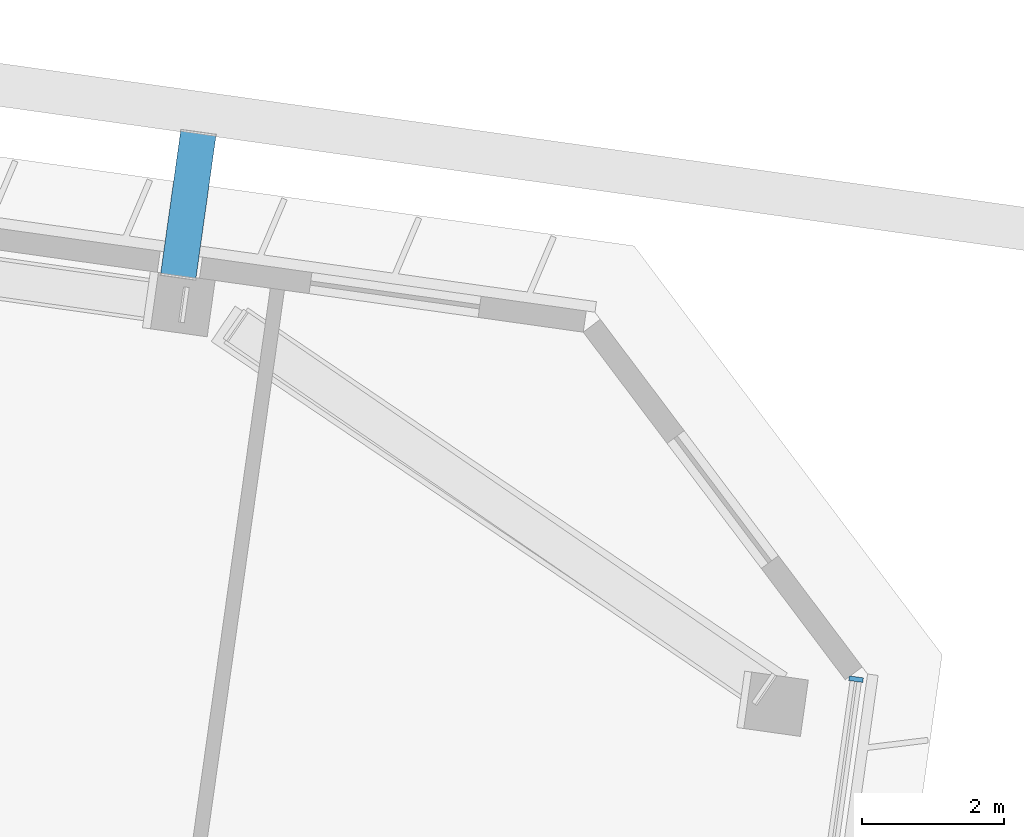
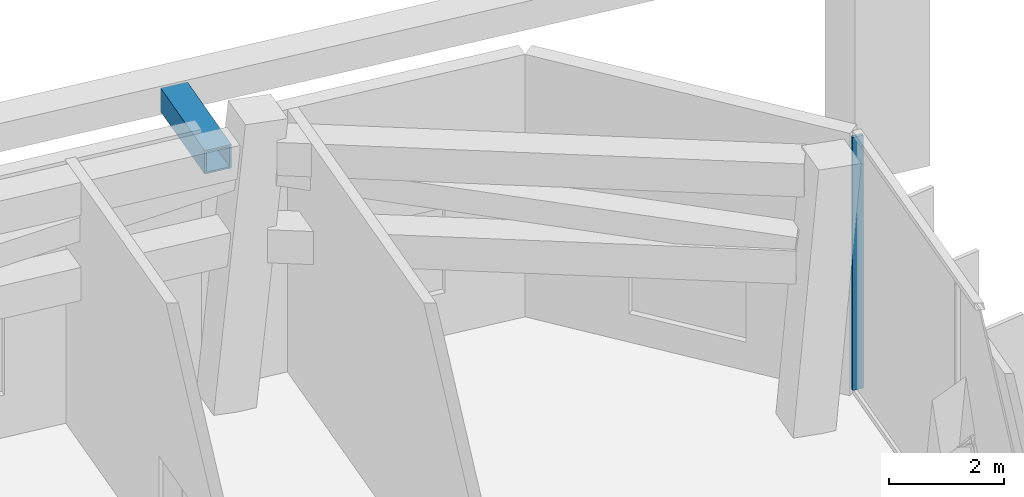
# One storey, part 8 of 29: 2 members, 1 element without a shape of its own.
"""IFC4 building model written with IfcOpenShell, lengths in metres."""

from ifc_helpers import new_model, si_unit, direction, frame, origin, origin_2d, place, context, subcontext, project, spatial, rectangle, hollow_rectangle, extrude, material, material_profile, profile_set, type_object, element, aggregate, save


model = new_model("IFC4")

# Units and contexts
model_context = context("Model", 3, precision=1e-05, world=origin(), true_north=direction((0.0, 1.0)))
body_context = subcontext(model_context, "Body", "Model", "MODEL_VIEW")
ifc_project = project(units=[si_unit("LENGTHUNIT", "METRE"), si_unit("AREAUNIT", "SQUARE_METRE"), si_unit("VOLUMEUNIT", "CUBIC_METRE"), si_unit("PLANEANGLEUNIT", "RADIAN"), si_unit("MASSUNIT", "GRAM", prefix="KILO")], contexts=[model_context])

# Site, building, storey
site_placement = place(None, origin())
site = spatial("IfcSite", under=ifc_project, at=site_placement, CompositionType="ELEMENT")
building_placement = place(site_placement, origin())
building = spatial("IfcBuilding", under=site, at=building_placement, Name="Mirante Cascada Hotel Towers", CompositionType="ELEMENT")
storey_placement = place(building_placement, frame((0.0, 0.0, 210.6)))
storey = spatial("IfcBuildingStorey", under=building, at=storey_placement, Name="L50", CompositionType="ELEMENT", Elevation=210.6)

# Member
ifc_material_1 = material(Name="Steel ASTM A572 Gr 50", Category="steel")
ifc_material_profile_1 = material_profile(ifc_material_1, hollow_rectangle(XDim=0.5, YDim=0.5, WallThickness=0.035, at=origin_2d()), Name="Box tie 500x500x35 ASTM A572 Gr 50")
ifc_profile_set_1 = profile_set([ifc_material_profile_1], Name="Steel ASTM A572 Gr 50")
member_type_1 = type_object("IfcMemberType", Name="Box tie 500x500x35 ASTM A572 Gr 50", PredefinedType="STRUT", material=ifc_profile_set_1)
member_1_placement = place(storey_placement, frame((-33.6029, 17.3699, 4.85), z_axis=(0.1391632, 0.9902695, 0.0), x_axis=(-0.9902695, 0.1391632, 0.0)))
element("IfcMember", 1, at=member_1_placement, inside=storey, type_object=member_type_1, Name="tie T1 L50 1", PredefinedType="STRUT", context=body_context, shape_type="SweptSolid", body=[
    extrude(hollow_rectangle(XDim=0.5, YDim=0.5, WallThickness=0.035, at=origin_2d()), origin(), (0.0, 0.0, 1.0), 2.0401),
])

# Curtain wall, member
ifc_material_2 = material(Name="Aluminium mullion and transom frame with clear laminated glass", Category="aluminium")
curtain_wall_type = type_object("IfcCurtainWallType", Name="End ribbon curtain wall ECW2", PredefinedType="NOTDEFINED", material=ifc_material_2)
curtain_wall_placement = place(storey_placement, origin())
curtain_wall = element("IfcCurtainWall", 2, at=curtain_wall_placement, inside=storey, type_object=curtain_wall_type, Name="Inner end wall T1 L50", PredefinedType="NOTDEFINED")
ifc_material_3 = material(Name="Anodised aluminium extrusion", Category="aluminium")
ifc_material_profile_2 = material_profile(ifc_material_3, rectangle(XDim=0.2, YDim=0.065, at=origin_2d()), Name="ECW2 MULLION 65x200")
ifc_profile_set_2 = profile_set([ifc_material_profile_2], Name="Anodised aluminium extrusion")
member_type_2 = type_object("IfcMemberType", Name="ECW2 mullion 65x200", PredefinedType="MULLION", material=ifc_profile_set_2)
member_2_placement = place(storey_placement, frame((-24.079, 11.7148, 0.1), z_axis=(0.0, 0.0, 1.0), x_axis=(0.9902681, -0.1391731, 0.0)))
member_2 = element("IfcMember", 3, at=member_2_placement, type_object=member_type_2, Name="ECW2 mullion 1", PredefinedType="MULLION", context=body_context, shape_type="SweptSolid", body=[
    extrude(rectangle(XDim=0.2, YDim=0.065, at=origin_2d()), origin(), (0.0, 0.0, 1.0), 5.35),
])
aggregate(curtain_wall, [member_2])

save(model, "model.ifc")
